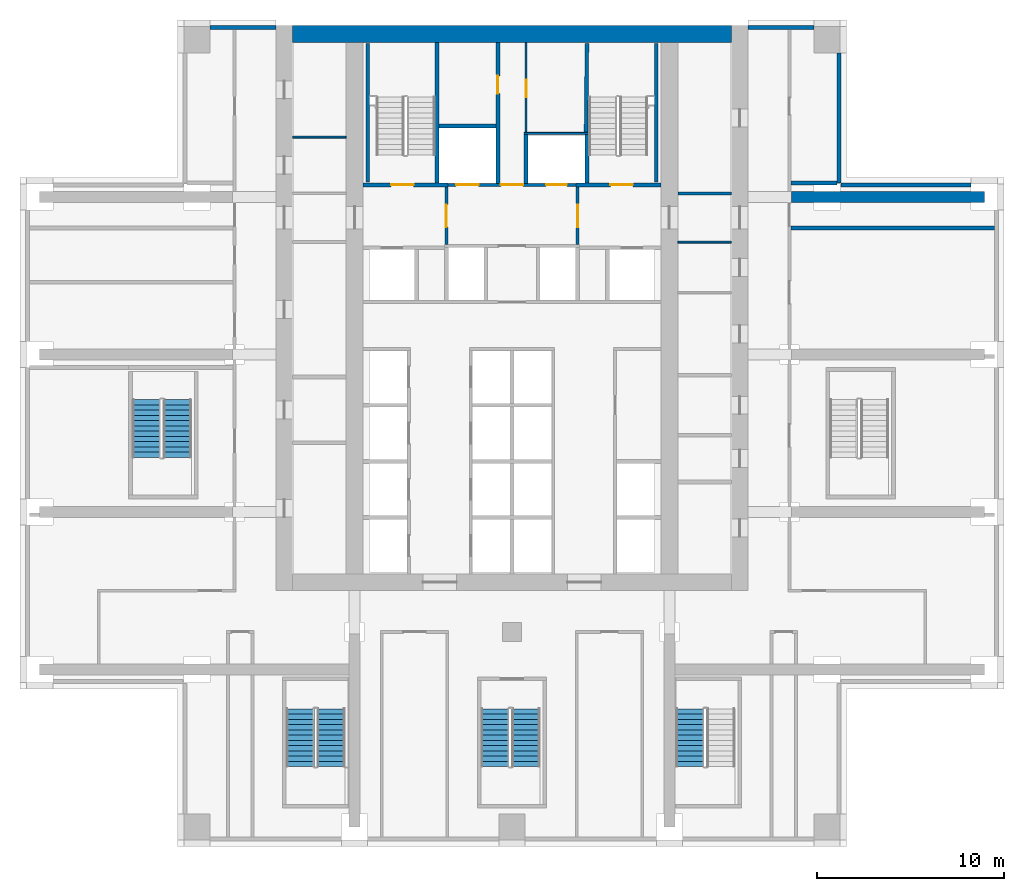
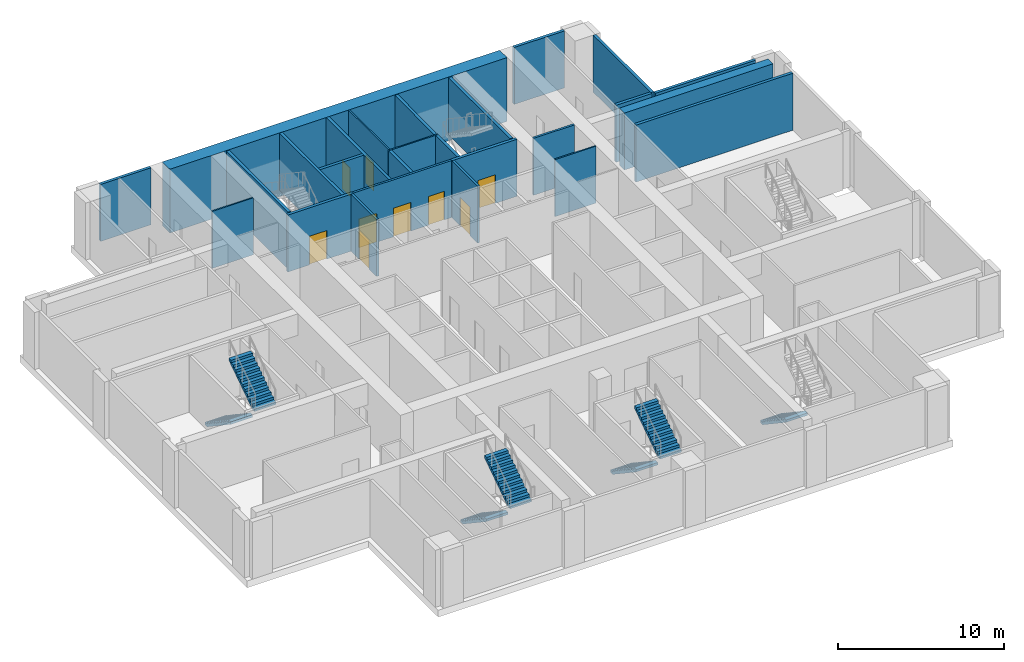
# One storey, part 5 of 11: 26 walls, 9 doors, 7 stair flights, 9 openings, 4 elements without a shape of their own.
"""IFC4 building model written with IfcOpenShell, lengths in metres."""

from ifc_helpers import new_model, si_unit, direction, frame, frame_2d, origin, place, context, subcontext, project, spatial, polyline, rectangle, outline, extrude, material, layer, layer_set, type_object, element, fill, aggregate, save


model = new_model("IFC4")

# Units and contexts
model_context = context("Model", 3, precision=1e-05, world=origin(), true_north=direction((0.0, 1.0)))
body_context = subcontext(model_context, "Body", "Model", "MODEL_VIEW")
ifc_project = project(units=[si_unit("LENGTHUNIT", "METRE"), si_unit("AREAUNIT", "SQUARE_METRE"), si_unit("VOLUMEUNIT", "CUBIC_METRE"), si_unit("PLANEANGLEUNIT", "RADIAN"), si_unit("MASSUNIT", "GRAM", prefix="KILO")], contexts=[model_context])

# Site, building, storey
site_placement = place(None, origin())
site = spatial("IfcSite", under=ifc_project, at=site_placement, CompositionType="ELEMENT")
building_placement = place(site_placement, origin())
building = spatial("IfcBuilding", under=site, at=building_placement, Name="Vermilion Ogive Tower", CompositionType="ELEMENT")
storey_placement = place(building_placement, frame((0.0, 0.0, 75.89990234375)))
storey = spatial("IfcBuildingStorey", under=building, at=storey_placement, Name="L18", CompositionType="ELEMENT", Elevation=75.89990234375)

# Walls
ifc_material_1 = material(Name="Concrete B60", Category="concrete")
ifc_layer_1 = layer(ifc_material_1, 0.60009765625)
ifc_layer_set_1 = layer_set([ifc_layer_1], Name="Outrigger wall 600 B60")
wall_type_1 = type_object("IfcWallType", Name="Outrigger wall 600 B60", PredefinedType="SHEAR", material=ifc_layer_set_1)
wall_1_placement = place(storey_placement, frame((14.89990234375, 12.60009765625, 0.0), z_axis=(0.0, 0.0, 1.0), x_axis=(1.0, 0.0, 0.0)))
element("IfcWall", 1, at=wall_1_placement, inside=storey, type_object=wall_type_1, Name="L18-OW-EWE+12.6", PredefinedType="SHEAR", context=body_context, shape_type="SweptSolid", body=[
    extrude(rectangle(XDim=10.300048828125, YDim=0.60009765625, at=frame_2d((5.14990234375, 0.0))), origin(), (0.0, 0.0, 1.0), 4.18017578125),
])
ifc_material_2 = material(Name="Gypsum board partition on steel studs", Category="steel")
ifc_layer_2 = layer(ifc_material_2, 0.10009765625)
ifc_layer_set_2 = layer_set([ifc_layer_2], Name="Partition 100 bath")
wall_type_2 = type_object("IfcWallType", Name="Partition 100 bath", PredefinedType="PARTITIONING", material=ifc_layer_set_2)
wall_2_placement = place(storey_placement, frame((0.64990234375, 16.0, 0.0), z_axis=(0.0, 0.0, 1.0), x_axis=(1.0, 0.0, 0.0)))
element("IfcWall", 2, at=wall_2_placement, inside=storey, type_object=wall_type_2, Name="L18-CK-W-W019", PredefinedType="PARTITIONING", context=body_context, shape_type="SweptSolid", body=[
    extrude(rectangle(XDim=3.4501953125, YDim=0.10009765625, at=frame_2d((1.72509765625, 0.0))), origin(), (0.0, 0.0, 1.0), 4.18017578125),
])

# Wall, opening, door
wall_3_placement = place(storey_placement, frame((0.75, 16.050048828125, 0.0), z_axis=(0.0, 0.0, 1.0), x_axis=(0.0, 1.0, 0.0)))
wall_3 = element("IfcWall", 3, at=wall_3_placement, inside=storey, type_object=wall_type_2, Name="L18-CK-W-W031", PredefinedType="PARTITIONING", context=body_context, shape_type="SweptSolid", body=[
    extrude(rectangle(XDim=4.799072265625, YDim=0.10009765625, at=frame_2d((2.3994140625, 0.0))), origin(), (0.0, 0.0, 1.0), 4.18017578125),
])
opening_1_placement = place(wall_3_placement, frame((1.875, 0.0, 0.0)))
opening_1 = element("IfcOpeningElement", 4, at=opening_1_placement, cuts=wall_3, Name="Opening DAF008", PredefinedType="OPENING", context=body_context, shape_type="SweptSolid", body=[
    extrude(rectangle(XDim=0.949951171875, YDim=2.10009765625, at=frame_2d((0.47509765625, 1.050048828125))), frame((0.0, 0.06005859375, 0.0), z_axis=(0.0, -1.0, 0.0), x_axis=(1.0, 0.0, 0.0)), (0.0, 0.0, 1.0), 0.1201171875),
])
ifc_material_3 = material(Name="Timber door leaf", Category="wood")
door_type_1 = type_object("IfcDoorType", Name="Service door 950 x 2100 FD60", OperationType="SINGLE_SWING_LEFT", PredefinedType="DOOR", material=ifc_material_3)
door_1_placement = place(opening_1_placement, origin())
door_1 = element("IfcDoor", 5, at=door_1_placement, inside=storey, type_object=door_type_1, Name="L18-CK-D-D020", OperationType="SINGLE_SWING_LEFT", OverallHeight=2.10009765625, OverallWidth=0.949951171875, PredefinedType="DOOR", context=body_context, shape_type="SweptSolid", body=[
    extrude(rectangle(XDim=0.949951171875, YDim=2.10009765625, at=frame_2d((0.47509765625, 1.050048828125))), frame((0.0, 0.02490234375, 0.0), z_axis=(0.0, -1.0, 0.0), x_axis=(1.0, 0.0, 0.0)), (0.0, 0.0, 1.0), 0.050048828125),
])
fill(opening_1, door_1)

# Walls
for number, where, z_axis, x_axis, name in (
    (6, (-11.698974609375, 15.800048828125, 0.0), (0.0, 0.0, 1.0), (1.0, 0.0, 0.0), "L18-CKW-W-W005"),
    (7, (8.85107421875, 10.199951171875, 0.0), (0.0, 0.0, 1.0), (1.0, 0.0, 0.0), "L18-CKE-W-W005"),
):
    element("IfcWall", number, at=place(storey_placement, frame(where, z_axis=z_axis, x_axis=x_axis)), inside=storey, type_object=wall_type_2, Name=name, PredefinedType="PARTITIONING", context=body_context, shape_type="SweptSolid", body=[
        extrude(rectangle(XDim=2.847900390625, YDim=0.10009765625, at=frame_2d((1.423828125, 0.0))), origin(), (0.0, 0.0, 1.0), 4.18017578125),
    ])

# Wall, openings, doors
ifc_material_4 = material(Name="Gypsum board partition on steel studs", Category="steel")
ifc_layer_3 = layer(ifc_material_4, 0.14990234375)
ifc_layer_set_3 = layer_set([ifc_layer_3], Name="Partition 150 corridor")
wall_type_3 = type_object("IfcWallType", Name="Partition 150 corridor", PredefinedType="PARTITIONING", material=ifc_layer_set_3)
wall_4_placement = place(storey_placement, frame((-3.574951171875, 13.25, 0.0), z_axis=(0.0, 0.0, 1.0), x_axis=(1.0, 0.0, 0.0)))
wall_4 = element("IfcWall", 8, at=wall_4_placement, inside=storey, type_object=wall_type_3, Name="L18-CK-W-W017", PredefinedType="PARTITIONING", context=body_context, shape_type="SweptSolid", body=[
    extrude(rectangle(XDim=7.14990234375, YDim=0.14990234375, at=frame_2d((3.574951171875, 0.0))), origin(), (0.0, 0.0, 1.0), 4.18017578125),
])
opening_2_placement = place(wall_4_placement, frame((0.599853515625, 0.0, 0.0)))
opening_2 = element("IfcOpeningElement", 9, at=opening_2_placement, cuts=wall_4, Name="Opening DAF022", PredefinedType="OPENING", context=body_context, shape_type="SweptSolid", body=[
    extrude(rectangle(XDim=1.199951171875, YDim=2.10009765625, at=frame_2d((0.60009765625, 1.050048828125))), frame((0.0, 0.0849609375, 0.0), z_axis=(0.0, -1.0, 0.0), x_axis=(1.0, 0.0, 0.0)), (0.0, 0.0, 1.0), 0.169921875),
])
opening_3_placement = place(wall_4_placement, frame((5.39990234375, 0.0, 0.0)))
opening_3 = element("IfcOpeningElement", 10, at=opening_3_placement, cuts=wall_4, Name="Opening DAF013", PredefinedType="OPENING", context=body_context, shape_type="SweptSolid", body=[
    extrude(rectangle(XDim=1.10009765625, YDim=2.10009765625, at=frame_2d((0.550048828125, 1.050048828125))), frame((0.0, 0.0849609375, 0.0), z_axis=(0.0, -1.0, 0.0), x_axis=(1.0, 0.0, 0.0)), (0.0, 0.0, 1.0), 0.169921875),
])
opening_4_placement = place(wall_4_placement, frame((2.974853515625, 0.0, 0.0)))
opening_4 = element("IfcOpeningElement", 11, at=opening_4_placement, cuts=wall_4, Name="Opening DAF005", PredefinedType="OPENING", context=body_context, shape_type="SweptSolid", body=[
    extrude(rectangle(XDim=1.199951171875, YDim=2.10009765625, at=frame_2d((0.60009765625, 1.050048828125))), frame((0.0, 0.0849609375, 0.0), z_axis=(0.0, -1.0, 0.0), x_axis=(1.0, 0.0, 0.0)), (0.0, 0.0, 1.0), 0.169921875),
])
ifc_material_5 = material(Name="Stainless steel", Category="steel")
door_type_2 = type_object("IfcDoorType", Name="Lift landing door 1100 x 2100", OperationType="SLIDING_TO_LEFT", PredefinedType="DOOR", material=ifc_material_5)
door_2_placement = place(opening_3_placement, origin())
door_2 = element("IfcDoor", 12, at=door_2_placement, inside=storey, type_object=door_type_2, Name="L18-CK-D-D017", OperationType="SLIDING_TO_LEFT", OverallHeight=2.10009765625, OverallWidth=1.10009765625, PredefinedType="DOOR", context=body_context, shape_type="SweptSolid", body=[
    extrude(rectangle(XDim=1.10009765625, YDim=2.10009765625, at=frame_2d((0.550048828125, 1.050048828125))), frame((0.0, 0.02490234375, 0.0), z_axis=(0.0, -1.0, 0.0), x_axis=(1.0, 0.0, 0.0)), (0.0, 0.0, 1.0), 0.050048828125),
])
fill(opening_3, door_2)
ifc_material_6 = material(Name="Stainless steel", Category="steel")
door_type_3 = type_object("IfcDoorType", Name="Lift landing door 1200 x 2100", OperationType="SLIDING_TO_LEFT", PredefinedType="DOOR", material=ifc_material_6)
door_3_placement = place(opening_2_placement, origin())
door_3 = element("IfcDoor", 13, at=door_3_placement, inside=storey, type_object=door_type_3, Name="L18-CK-D-D016", OperationType="SLIDING_TO_RIGHT", OverallHeight=2.10009765625, OverallWidth=1.199951171875, PredefinedType="DOOR", context=body_context, shape_type="SweptSolid", body=[
    extrude(rectangle(XDim=1.199951171875, YDim=2.10009765625, at=frame_2d((0.60009765625, 1.050048828125))), frame((0.0, 0.02490234375, 0.0), z_axis=(0.0, -1.0, 0.0), x_axis=(1.0, 0.0, 0.0)), (0.0, 0.0, 1.0), 0.050048828125),
])
fill(opening_2, door_3)
ifc_material_7 = material(Name="Timber door leaf", Category="wood")
door_type_4 = type_object("IfcDoorType", Name="Service door 1200 x 2100 FD60", OperationType="SINGLE_SWING_LEFT", PredefinedType="DOOR", material=ifc_material_7)
door_4_placement = place(opening_4_placement, origin())
door_4 = element("IfcDoor", 14, at=door_4_placement, inside=storey, type_object=door_type_4, Name="L18-CK-D-D018", OperationType="SINGLE_SWING_RIGHT", OverallHeight=2.10009765625, OverallWidth=1.199951171875, PredefinedType="DOOR", context=body_context, shape_type="SweptSolid", body=[
    extrude(rectangle(XDim=1.199951171875, YDim=2.10009765625, at=frame_2d((0.60009765625, 1.050048828125))), frame((0.0, 0.02490234375, 0.0), z_axis=(0.0, -1.0, 0.0), x_axis=(1.0, 0.0, 0.0)), (0.0, 0.0, 1.0), 0.050048828125),
])
fill(opening_4, door_4)

# Wall, opening, door
wall_5_placement = place(storey_placement, frame((-3.5, 10.074951171875, 0.0), z_axis=(0.0, 0.0, 1.0), x_axis=(0.0, 1.0, 0.0)))
wall_5 = element("IfcWall", 15, at=wall_5_placement, inside=storey, type_object=wall_type_3, Name="L18-CK-W-W025", PredefinedType="PARTITIONING", context=body_context, shape_type="SweptSolid", body=[
    extrude(rectangle(XDim=3.074951171875, YDim=0.14990234375, at=frame_2d((1.53759765625, 0.0))), origin(), (0.0, 0.0, 1.0), 4.18017578125),
])
opening_5_placement = place(wall_5_placement, frame((0.925048828125, 0.0, 0.0)))
opening_5 = element("IfcOpeningElement", 16, at=opening_5_placement, cuts=wall_5, Name="Opening DAF001", PredefinedType="OPENING", context=body_context, shape_type="SweptSolid", body=[
    extrude(rectangle(XDim=1.199951171875, YDim=2.10009765625, at=frame_2d((0.60009765625, 1.050048828125))), frame((0.0, 0.0849609375, 0.0), z_axis=(0.0, -1.0, 0.0), x_axis=(1.0, 0.0, 0.0)), (0.0, 0.0, 1.0), 0.169921875),
])
ifc_material_8 = material(Name="Timber door leaf", Category="wood")
door_type_5 = type_object("IfcDoorType", Name="Lobby door 1200 x 2100 FD60S", OperationType="SINGLE_SWING_LEFT", PredefinedType="DOOR", material=ifc_material_8)
door_5_placement = place(opening_5_placement, origin())
door_5 = element("IfcDoor", 17, at=door_5_placement, inside=storey, type_object=door_type_5, Name="L18-CK-D-D021", OperationType="SINGLE_SWING_RIGHT", OverallHeight=2.10009765625, OverallWidth=1.199951171875, PredefinedType="DOOR", context=body_context, shape_type="SweptSolid", body=[
    extrude(rectangle(XDim=1.199951171875, YDim=2.10009765625, at=frame_2d((0.60009765625, 1.050048828125))), frame((0.0, 0.02490234375, 0.0), z_axis=(0.0, -1.0, 0.0), x_axis=(1.0, 0.0, 0.0)), (0.0, 0.0, 1.0), 0.050048828125),
])
fill(opening_5, door_5)

wall_6_placement = place(storey_placement, frame((3.5, 10.074951171875, 0.0), z_axis=(0.0, 0.0, 1.0), x_axis=(0.0, 1.0, 0.0)))
wall_6 = element("IfcWall", 18, at=wall_6_placement, inside=storey, type_object=wall_type_3, Name="L18-CK-W-W035", PredefinedType="PARTITIONING", context=body_context, shape_type="SweptSolid", body=[
    extrude(rectangle(XDim=3.074951171875, YDim=0.14990234375, at=frame_2d((1.53759765625, 0.0))), origin(), (0.0, 0.0, 1.0), 4.18017578125),
])
opening_6_placement = place(wall_6_placement, frame((0.925048828125, 0.0, 0.0)))
opening_6 = element("IfcOpeningElement", 19, at=opening_6_placement, cuts=wall_6, Name="Opening DAF002", PredefinedType="OPENING", context=body_context, shape_type="SweptSolid", body=[
    extrude(rectangle(XDim=1.199951171875, YDim=2.10009765625, at=frame_2d((0.60009765625, 1.050048828125))), frame((0.0, 0.0849609375, 0.0), z_axis=(0.0, -1.0, 0.0), x_axis=(1.0, 0.0, 0.0)), (0.0, 0.0, 1.0), 0.169921875),
])
door_6_placement = place(opening_6_placement, origin())
door_6 = element("IfcDoor", 20, at=door_6_placement, inside=storey, type_object=door_type_5, Name="L18-CK-D-D022", OperationType="SINGLE_SWING_LEFT", OverallHeight=2.10009765625, OverallWidth=1.199951171875, PredefinedType="DOOR", context=body_context, shape_type="SweptSolid", body=[
    extrude(rectangle(XDim=1.199951171875, YDim=2.10009765625, at=frame_2d((0.60009765625, 1.050048828125))), frame((0.0, 0.02490234375, 0.0), z_axis=(0.0, -1.0, 0.0), x_axis=(1.0, 0.0, 0.0)), (0.0, 0.0, 1.0), 0.050048828125),
])
fill(opening_6, door_6)

# Walls
wall_7_placement = place(storey_placement, frame((8.85107421875, 12.800048828125, 0.0), z_axis=(0.0, 0.0, 1.0), x_axis=(1.0, 0.0, 0.0)))
element("IfcWall", 21, at=wall_7_placement, inside=storey, type_object=wall_type_3, Name="L18-CKE-W-W006", PredefinedType="PARTITIONING", context=body_context, shape_type="SweptSolid", body=[
    extrude(rectangle(XDim=2.847900390625, YDim=0.14990234375, at=frame_2d((1.423828125, 0.0))), origin(), (0.0, 0.0, 1.0), 4.18017578125),
])
ifc_material_9 = material(Name="Gypsum board partition on steel studs", Category="steel")
ifc_layer_4 = layer(ifc_material_9, 0.199951171875)
ifc_layer_set_4 = layer_set([ifc_layer_4], Name="Partition 200 party")
wall_type_4 = type_object("IfcWallType", Name="Partition 200 party", PredefinedType="PARTITIONING", material=ifc_layer_set_4)
wall_8_placement = place(storey_placement, frame((14.875, 10.949951171875, 0.0), z_axis=(0.0, 0.0, 1.0), x_axis=(1.0, 0.0, 0.0)))
element("IfcWall", 22, at=wall_8_placement, inside=storey, type_object=wall_type_4, Name="L18-FS-W-W013", PredefinedType="PARTITIONING", context=body_context, shape_type="SweptSolid", body=[
    extrude(rectangle(XDim=10.875, YDim=0.199951171875, at=frame_2d((5.4375, 0.0))), origin(), (0.0, 0.0, 1.0), 4.18017578125),
])
wall_9_placement = place(storey_placement, frame((14.875, 13.35009765625, 0.0), z_axis=(0.0, 0.0, 1.0), x_axis=(1.0, 0.0, 0.0)))
element("IfcWall", 23, at=wall_9_placement, inside=storey, type_object=wall_type_4, Name="L18-FS-W-W015", PredefinedType="PARTITIONING", context=body_context, shape_type="SweptSolid", body=[
    extrude(rectangle(XDim=2.47509765625, YDim=0.199951171875, at=frame_2d((1.237548828125, 0.0))), origin(), (0.0, 0.0, 1.0), 4.18017578125),
])
wall_10_placement = place(storey_placement, frame((-3.89990234375, 16.39990234375, 0.0), z_axis=(0.0, 0.0, 1.0), x_axis=(1.0, 0.0, 0.0)))
element("IfcWall", 24, at=wall_10_placement, inside=storey, type_object=wall_type_4, Name="L18-CK-W-W020", PredefinedType="PARTITIONING", context=body_context, shape_type="SweptSolid", body=[
    extrude(rectangle(XDim=3.0498046875, YDim=0.199951171875, at=frame_2d((1.52490234375, 0.0))), origin(), (0.0, 0.0, 1.0), 4.18017578125),
])

# Wall, opening, door
wall_11_placement = place(storey_placement, frame((-0.75, 13.324951171875, 0.0), z_axis=(0.0, 0.0, 1.0), x_axis=(0.0, 1.0, 0.0)))
wall_11 = element("IfcWall", 25, at=wall_11_placement, inside=storey, type_object=wall_type_4, Name="L18-CK-W-W028", PredefinedType="PARTITIONING", context=body_context, shape_type="SweptSolid", body=[
    extrude(rectangle(XDim=7.524169921875, YDim=0.199951171875, at=frame_2d((3.76220703125, 0.0))), origin(), (0.0, 0.0, 1.0), 4.18017578125),
])
opening_7_placement = place(wall_11_placement, frame((4.800048828125, 0.0, 0.0)))
opening_7 = element("IfcOpeningElement", 26, at=opening_7_placement, cuts=wall_11, Name="Opening DAF007", PredefinedType="OPENING", context=body_context, shape_type="SweptSolid", body=[
    extrude(rectangle(XDim=0.949951171875, YDim=2.10009765625, at=frame_2d((0.47509765625, 1.050048828125))), frame((0.0, 0.10986328125, 0.0), z_axis=(0.0, -1.0, 0.0), x_axis=(1.0, 0.0, 0.0)), (0.0, 0.0, 1.0), 0.219970703125),
])
door_7_placement = place(opening_7_placement, origin())
door_7 = element("IfcDoor", 27, at=door_7_placement, inside=storey, type_object=door_type_1, Name="L18-CK-D-D019", OperationType="SINGLE_SWING_RIGHT", OverallHeight=2.10009765625, OverallWidth=0.949951171875, PredefinedType="DOOR", context=body_context, shape_type="SweptSolid", body=[
    extrude(rectangle(XDim=0.949951171875, YDim=2.10009765625, at=frame_2d((0.47509765625, 1.050048828125))), frame((0.0, 0.02490234375, 0.0), z_axis=(0.0, -1.0, 0.0), x_axis=(1.0, 0.0, 0.0)), (0.0, 0.0, 1.0), 0.050048828125),
])
fill(opening_7, door_7)

# Walls
wall_12_placement = place(storey_placement, frame((0.75, 13.324951171875, 0.0), z_axis=(0.0, 0.0, 1.0), x_axis=(0.0, 1.0, 0.0)))
element("IfcWall", 28, at=wall_12_placement, inside=storey, type_object=wall_type_4, Name="L18-CK-W-W030", PredefinedType="PARTITIONING", context=body_context, shape_type="SweptSolid", body=[
    extrude(rectangle(XDim=2.625, YDim=0.199951171875, at=frame_2d((1.3125, 0.0))), origin(), (0.0, 0.0, 1.0), 4.18017578125),
])
ifc_material_10 = material(Name="Aluminium louvre panels", Category="aluminium")
ifc_layer_5 = layer(ifc_material_10, 0.199951171875)
ifc_layer_set_5 = layer_set([ifc_layer_5], Name="Plant louvre wall")
wall_type_5 = type_object("IfcWallType", Name="Plant louvre wall", PredefinedType="STANDARD", material=ifc_layer_set_5)
for number, where, z_axis, x_axis, name in (
    (29, (24.5, 13.25, 0.0), (0.0, 0.0, 1.0), (-1.0, 0.0, 0.0), "Window wall X31"),
    (30, (17.449951171875, 13.35009765625, 0.0), (0.0, 0.0, 1.0), (0.0, 1.0, 0.0), "Window wall X41"),
):
    element("IfcWall", number, at=place(storey_placement, frame(where, z_axis=z_axis, x_axis=x_axis)), inside=storey, type_object=wall_type_5, Name=name, PredefinedType="STANDARD", context=body_context, shape_type="SweptSolid", body=[
        extrude(rectangle(XDim=6.949951171875, YDim=0.199951171875, at=frame_2d((3.47509765625, 0.0))), origin(), (0.0, 0.0, 1.0), 4.18017578125),
    ])
for number, where, z_axis, x_axis, name in (
    (31, (16.10009765625, 21.64990234375, 0.0), (0.0, 0.0, 1.0), (-1.0, 0.0, 0.0), "Window wall N11"),
    (32, (-12.60009765625, 21.64990234375, 0.0), (0.0, 0.0, 1.0), (-1.0, 0.0, 0.0), "Window wall N21"),
):
    element("IfcWall", number, at=place(storey_placement, frame(where, z_axis=z_axis, x_axis=x_axis)), inside=storey, type_object=wall_type_5, Name=name, PredefinedType="STANDARD", context=body_context, shape_type="SweptSolid", body=[
        extrude(rectangle(XDim=3.5, YDim=0.199951171875, at=frame_2d((1.75, 0.0))), origin(), (0.0, 0.0, 1.0), 4.18017578125),
    ])
ifc_material_11 = material(Name="Concrete B60", Category="concrete")
ifc_layer_6 = layer(ifc_material_11, 0.199951171875)
ifc_layer_set_6 = layer_set([ifc_layer_6], Name="Stair shaft wall 200 Concrete B60")
wall_type_6 = type_object("IfcWallType", Name="Stair shaft wall 200 Concrete B60", PredefinedType="SOLIDWALL", material=ifc_layer_set_6)
wall_13_placement = place(storey_placement, frame((-11.699951171875, 21.300048828125, -0.5), z_axis=(0.0, 0.0, 1.0), x_axis=(1.0, 0.0, 0.0)))
element("IfcWall", 33, at=wall_13_placement, inside=storey, type_object=wall_type_6, Name="L18-CORE-N", PredefinedType="SOLIDWALL", context=body_context, shape_type="SweptSolid", body=[
    extrude(rectangle(XDim=23.39990234375, YDim=0.89990234375, at=frame_2d((11.699951171875, 0.0))), origin(), (0.0, 0.0, 1.0), 4.68017578125),
])

# Wall, opening, door
wall_14_placement = place(storey_placement, frame((-7.948974609375, 13.25, 0.0), z_axis=(0.0, 0.0, 1.0), x_axis=(1.0, 0.0, 0.0)))
wall_14 = element("IfcWall", 34, at=wall_14_placement, inside=storey, type_object=wall_type_6, Name="L18-CK-W-W016", PredefinedType="SOLIDWALL", context=body_context, shape_type="SweptSolid", body=[
    extrude(rectangle(XDim=4.52392578125, YDim=0.199951171875, at=frame_2d((2.261962890625, 0.0))), origin(), (0.0, 0.0, 1.0), 4.18017578125),
])
opening_8_placement = place(wall_14_placement, frame((1.4990234375, 0.0, 0.0)))
opening_8 = element("IfcOpeningElement", 35, at=opening_8_placement, cuts=wall_14, Name="Opening DAF009", PredefinedType="OPENING", context=body_context, shape_type="SweptSolid", body=[
    extrude(rectangle(XDim=1.199951171875, YDim=2.10009765625, at=frame_2d((0.60009765625, 1.050048828125))), frame((0.0, 0.10986328125, 0.0), z_axis=(0.0, -1.0, 0.0), x_axis=(1.0, 0.0, 0.0)), (0.0, 0.0, 1.0), 0.219970703125),
])
ifc_material_12 = material(Name="Timber door leaf", Category="wood")
door_type_6 = type_object("IfcDoorType", Name="Stair door 1200 x 2100 FD60S", OperationType="SINGLE_SWING_LEFT", PredefinedType="DOOR", material=ifc_material_12)
door_8_placement = place(opening_8_placement, origin())
door_8 = element("IfcDoor", 36, at=door_8_placement, inside=storey, type_object=door_type_6, Name="L18-CK-D-D010", OperationType="SINGLE_SWING_LEFT", OverallHeight=2.10009765625, OverallWidth=1.199951171875, PredefinedType="DOOR", context=body_context, shape_type="SweptSolid", body=[
    extrude(rectangle(XDim=1.199951171875, YDim=2.10009765625, at=frame_2d((0.60009765625, 1.050048828125))), frame((0.0, 0.02490234375, 0.0), z_axis=(0.0, -1.0, 0.0), x_axis=(1.0, 0.0, 0.0)), (0.0, 0.0, 1.0), 0.050048828125),
])
fill(opening_8, door_8)

wall_15_placement = place(storey_placement, frame((3.425048828125, 13.25, 0.0), z_axis=(0.0, 0.0, 1.0), x_axis=(1.0, 0.0, 0.0)))
wall_15 = element("IfcWall", 37, at=wall_15_placement, inside=storey, type_object=wall_type_6, Name="L18-CK-W-W018", PredefinedType="SOLIDWALL", context=body_context, shape_type="SweptSolid", body=[
    extrude(rectangle(XDim=4.52392578125, YDim=0.199951171875, at=frame_2d((2.261962890625, 0.0))), origin(), (0.0, 0.0, 1.0), 4.18017578125),
])
opening_9_placement = place(wall_15_placement, frame((1.824951171875, 0.0, 0.0)))
opening_9 = element("IfcOpeningElement", 38, at=opening_9_placement, cuts=wall_15, Name="Opening DAF010", PredefinedType="OPENING", context=body_context, shape_type="SweptSolid", body=[
    extrude(rectangle(XDim=1.199951171875, YDim=2.10009765625, at=frame_2d((0.60009765625, 1.050048828125))), frame((0.0, 0.10986328125, 0.0), z_axis=(0.0, -1.0, 0.0), x_axis=(1.0, 0.0, 0.0)), (0.0, 0.0, 1.0), 0.219970703125),
])
door_9_placement = place(opening_9_placement, origin())
door_9 = element("IfcDoor", 39, at=door_9_placement, inside=storey, type_object=door_type_6, Name="L18-CK-D-D012", OperationType="SINGLE_SWING_RIGHT", OverallHeight=2.10009765625, OverallWidth=1.199951171875, PredefinedType="DOOR", context=body_context, shape_type="SweptSolid", body=[
    extrude(rectangle(XDim=1.199951171875, YDim=2.10009765625, at=frame_2d((0.60009765625, 1.050048828125))), frame((0.0, 0.02490234375, 0.0), z_axis=(0.0, -1.0, 0.0), x_axis=(1.0, 0.0, 0.0)), (0.0, 0.0, 1.0), 0.050048828125),
])
fill(opening_9, door_9)

# Walls
wall_16_placement = place(storey_placement, frame((-4.0, 13.35009765625, 0.0), z_axis=(0.0, 0.0, 1.0), x_axis=(0.0, 1.0, 0.0)))
element("IfcWall", 40, at=wall_16_placement, inside=storey, type_object=wall_type_6, Name="L18-CK-W-W023", PredefinedType="SOLIDWALL", context=body_context, shape_type="SweptSolid", body=[
    extrude(rectangle(XDim=7.4990234375, YDim=0.199951171875, at=frame_2d((3.74951171875, 0.0))), origin(), (0.0, 0.0, 1.0), 4.18017578125),
])
wall_17_placement = place(storey_placement, frame((4.0, 13.35009765625, 0.0), z_axis=(0.0, 0.0, 1.0), x_axis=(0.0, 1.0, 0.0)))
element("IfcWall", 41, at=wall_17_placement, inside=storey, type_object=wall_type_6, Name="L18-CK-W-W036", PredefinedType="SOLIDWALL", context=body_context, shape_type="SweptSolid", body=[
    extrude(rectangle(XDim=2.599853515625, YDim=0.199951171875, at=frame_2d((1.2998046875, 0.0))), origin(), (0.0, 0.0, 1.0), 4.18017578125),
])
wall_18_placement = place(storey_placement, frame((3.949951171875, 16.050048828125, 0.0), z_axis=(0.0, 0.0, 1.0), x_axis=(0.010538176883, 0.999944471872, 0.0)))
element("IfcWall", 42, at=wall_18_placement, inside=storey, type_object=wall_type_6, Name="L18-CK-W-W037", PredefinedType="SOLIDWALL", context=body_context, shape_type="SweptSolid", body=[
    extrude(rectangle(XDim=4.749267578125, YDim=0.199951171875, at=frame_2d((2.37451171875, 0.0))), origin(), (0.0, 0.0, 1.0), 4.18017578125),
])
for number, where, z_axis, x_axis, name in (
    (43, (-7.699951171875, 13.39990234375, 0.0), (0.0, 0.0, 1.0), (0.0, 1.0, 0.0), "L18-SW-R022-W1"),
    (44, (7.699951171875, 13.39990234375, 0.0), (0.0, 0.0, 1.0), (0.0, 1.0, 0.0), "L18-SW-R026-E1"),
):
    element("IfcWall", number, at=place(storey_placement, frame(where, z_axis=z_axis, x_axis=x_axis)), inside=storey, type_object=wall_type_6, Name=name, PredefinedType="SOLIDWALL", context=body_context, shape_type="SweptSolid", body=[
        extrude(rectangle(XDim=7.400146484375, YDim=0.199951171875, at=frame_2d((3.7001953125, 0.0))), origin(), (0.0, 0.0, 1.0), 4.18017578125),
    ])

# Stair, stair flights
ifc_material_13 = material(Name="Concrete B40", Category="concrete")
stair_type = type_object("IfcStairType", Name="Exit stair 1500", PredefinedType="HALF_TURN_STAIR", material=ifc_material_13)
stair_1_placement = place(storey_placement, origin())
stair_1 = element("IfcStair", 45, at=stair_1_placement, inside=storey, type_object=stair_type, Name="L18 Exit Stair ST3", PredefinedType="HALF_TURN_STAIR")
ifc_material_14 = material(Name="Concrete B40", Category="concrete")
stair_flight_type = type_object("IfcStairFlightType", Name="Stair flight 1500", PredefinedType="STRAIGHT", material=ifc_material_14)
stair_flight_1_placement = place(storey_placement, frame((-11.300048828125, -14.699951171875, 0.0), z_axis=(0.0, 0.0, 1.0), x_axis=(0.0, -1.0, 0.0)))
stair_flight_1 = element("IfcStairFlight", 46, at=stair_flight_1_placement, type_object=stair_flight_type, Name="ST3 flight 1", NumberOfRisers=12, NumberOfTreads=11, PredefinedType="STRAIGHT", RiserHeight=0.1875, TreadLength=0.28, context=body_context, shape_type="SweptSolid", body=[
    extrude(outline(polyline([(0.0, 0.0), (0.0, 0.1875), (0.280029296875, 0.1875), (0.280029296875, 0.375), (0.56005859375, 0.375), (0.56005859375, 0.5625), (0.840087890625, 0.5625), (0.840087890625, 0.75), (1.1201171875, 0.75), (1.1201171875, 0.9375), (1.39990234375, 0.9375), (1.39990234375, 1.125), (1.679931640625, 1.125), (1.679931640625, 1.3125), (1.9599609375, 1.3125), (1.9599609375, 1.5), (2.239990234375, 1.5), (2.239990234375, 1.6875), (2.52001953125, 1.6875), (2.52001953125, 1.875), (2.800048828125, 1.875), (2.800048828125, 2.0625), (3.080078125, 2.0625), (3.080078125, 2.25), (3.080078125, 1.882080078125), (0.26953125, 0.0), (0.0, 0.0)])), frame((0.0, 0.75, 0.0), z_axis=(0.0, -1.0, 0.0), x_axis=(1.0, 0.0, 0.0)), (0.0, 0.0, 1.0), 1.5),
])
stair_flight_2_placement = place(storey_placement, frame((-9.64990234375, -17.780029296875, 2.25), z_axis=(0.0, 0.0, 1.0), x_axis=(0.0, 1.0, 0.0)))
stair_flight_2 = element("IfcStairFlight", 47, at=stair_flight_2_placement, type_object=stair_flight_type, Name="ST3 flight 2", NumberOfRisers=12, NumberOfTreads=11, PredefinedType="STRAIGHT", RiserHeight=0.1875, TreadLength=0.28, context=body_context, shape_type="SweptSolid", body=[
    extrude(outline(polyline([(0.0, 0.0), (0.0, 0.1875), (0.280029296875, 0.1875), (0.280029296875, 0.375), (0.56005859375, 0.375), (0.56005859375, 0.5625), (0.840087890625, 0.5625), (0.840087890625, 0.75), (1.1201171875, 0.75), (1.1201171875, 0.9375), (1.39990234375, 0.9375), (1.39990234375, 1.125), (1.679931640625, 1.125), (1.679931640625, 1.3125), (1.9599609375, 1.3125), (1.9599609375, 1.5), (2.239990234375, 1.5), (2.239990234375, 1.6875), (2.52001953125, 1.6875), (2.52001953125, 1.875), (2.800048828125, 1.875), (2.800048828125, 2.0625), (3.080078125, 2.0625), (3.080078125, 2.25), (3.080078125, 1.882080078125), (0.26953125, 0.0), (0.0, 0.0)])), frame((0.0, 0.75, 0.0), z_axis=(0.0, -1.0, 0.0), x_axis=(1.0, 0.0, 0.0)), (0.0, 0.0, 1.0), 1.5),
])
aggregate(stair_1, [stair_flight_1, stair_flight_2])

stair_2_placement = place(storey_placement, origin())
stair_2 = element("IfcStair", 48, at=stair_2_placement, inside=storey, type_object=stair_type, Name="L18 Exit Stair ST4", PredefinedType="HALF_TURN_STAIR")
stair_flight_3_placement = place(storey_placement, frame((-0.89990234375, -14.699951171875, 0.0), z_axis=(0.0, 0.0, 1.0), x_axis=(0.0, -1.0, 0.0)))
stair_flight_3 = element("IfcStairFlight", 49, at=stair_flight_3_placement, type_object=stair_flight_type, Name="ST4 flight 1", NumberOfRisers=12, NumberOfTreads=11, PredefinedType="STRAIGHT", RiserHeight=0.1875, TreadLength=0.28, context=body_context, shape_type="SweptSolid", body=[
    extrude(outline(polyline([(0.0, 0.0), (0.0, 0.1875), (0.280029296875, 0.1875), (0.280029296875, 0.375), (0.56005859375, 0.375), (0.56005859375, 0.5625), (0.840087890625, 0.5625), (0.840087890625, 0.75), (1.1201171875, 0.75), (1.1201171875, 0.9375), (1.39990234375, 0.9375), (1.39990234375, 1.125), (1.679931640625, 1.125), (1.679931640625, 1.3125), (1.9599609375, 1.3125), (1.9599609375, 1.5), (2.239990234375, 1.5), (2.239990234375, 1.6875), (2.52001953125, 1.6875), (2.52001953125, 1.875), (2.800048828125, 1.875), (2.800048828125, 2.0625), (3.080078125, 2.0625), (3.080078125, 2.25), (3.080078125, 1.882080078125), (0.26953125, 0.0), (0.0, 0.0)])), frame((0.0, 0.75, 0.0), z_axis=(0.0, -1.0, 0.0), x_axis=(1.0, 0.0, 0.0)), (0.0, 0.0, 1.0), 1.5),
])
stair_flight_4_placement = place(storey_placement, frame((0.75, -17.780029296875, 2.25), z_axis=(0.0, 0.0, 1.0), x_axis=(0.0, 1.0, 0.0)))
stair_flight_4 = element("IfcStairFlight", 50, at=stair_flight_4_placement, type_object=stair_flight_type, Name="ST4 flight 2", NumberOfRisers=12, NumberOfTreads=11, PredefinedType="STRAIGHT", RiserHeight=0.1875, TreadLength=0.28, context=body_context, shape_type="SweptSolid", body=[
    extrude(outline(polyline([(0.0, 0.0), (0.0, 0.1875), (0.280029296875, 0.1875), (0.280029296875, 0.375), (0.56005859375, 0.375), (0.56005859375, 0.5625), (0.840087890625, 0.5625), (0.840087890625, 0.75), (1.1201171875, 0.75), (1.1201171875, 0.9375), (1.39990234375, 0.9375), (1.39990234375, 1.125), (1.679931640625, 1.125), (1.679931640625, 1.3125), (1.9599609375, 1.3125), (1.9599609375, 1.5), (2.239990234375, 1.5), (2.239990234375, 1.6875), (2.52001953125, 1.6875), (2.52001953125, 1.875), (2.800048828125, 1.875), (2.800048828125, 2.0625), (3.080078125, 2.0625), (3.080078125, 2.25), (3.080078125, 1.882080078125), (0.26953125, 0.0), (0.0, 0.0)])), frame((0.0, 0.75, 0.0), z_axis=(0.0, -1.0, 0.0), x_axis=(1.0, 0.0, 0.0)), (0.0, 0.0, 1.0), 1.5),
])
aggregate(stair_2, [stair_flight_3, stair_flight_4])

# Stair, stair flight
stair_3_placement = place(storey_placement, origin())
stair_3 = element("IfcStair", 51, at=stair_3_placement, inside=storey, type_object=stair_type, Name="L18 Exit Stair ST5", PredefinedType="HALF_TURN_STAIR")
stair_flight_5_placement = place(storey_placement, frame((9.5, -14.699951171875, 0.0), z_axis=(0.0, 0.0, 1.0), x_axis=(0.0, -1.0, 0.0)))
stair_flight_5 = element("IfcStairFlight", 52, at=stair_flight_5_placement, type_object=stair_flight_type, Name="ST5 flight 1", NumberOfRisers=12, NumberOfTreads=11, PredefinedType="STRAIGHT", RiserHeight=0.1875, TreadLength=0.28, context=body_context, shape_type="SweptSolid", body=[
    extrude(outline(polyline([(0.0, 0.0), (0.0, 0.1875), (0.280029296875, 0.1875), (0.280029296875, 0.375), (0.56005859375, 0.375), (0.56005859375, 0.5625), (0.840087890625, 0.5625), (0.840087890625, 0.75), (1.1201171875, 0.75), (1.1201171875, 0.9375), (1.39990234375, 0.9375), (1.39990234375, 1.125), (1.679931640625, 1.125), (1.679931640625, 1.3125), (1.9599609375, 1.3125), (1.9599609375, 1.5), (2.239990234375, 1.5), (2.239990234375, 1.6875), (2.52001953125, 1.6875), (2.52001953125, 1.875), (2.800048828125, 1.875), (2.800048828125, 2.0625), (3.080078125, 2.0625), (3.080078125, 2.25), (3.080078125, 1.882080078125), (0.26953125, 0.0), (0.0, 0.0)])), frame((0.0, 0.75, 0.0), z_axis=(0.0, -1.0, 0.0), x_axis=(1.0, 0.0, 0.0)), (0.0, 0.0, 1.0), 1.5),
])
aggregate(stair_3, [stair_flight_5])

# Stair, stair flights
stair_4_placement = place(storey_placement, origin())
stair_4 = element("IfcStair", 53, at=stair_4_placement, inside=storey, type_object=stair_type, Name="L18 Exit Stair ST9", PredefinedType="HALF_TURN_STAIR")
stair_flight_6_placement = place(storey_placement, frame((-19.5, 1.800048828125, 0.0), z_axis=(0.0, 0.0, 1.0), x_axis=(0.0, -1.0, 0.0)))
stair_flight_6 = element("IfcStairFlight", 54, at=stair_flight_6_placement, type_object=stair_flight_type, Name="ST9 flight 1", NumberOfRisers=12, NumberOfTreads=11, PredefinedType="STRAIGHT", RiserHeight=0.1875, TreadLength=0.28, context=body_context, shape_type="SweptSolid", body=[
    extrude(outline(polyline([(0.0, 0.0), (0.0, 0.1875), (0.280029296875, 0.1875), (0.280029296875, 0.375), (0.56005859375, 0.375), (0.56005859375, 0.5625), (0.840087890625, 0.5625), (0.840087890625, 0.75), (1.1201171875, 0.75), (1.1201171875, 0.9375), (1.39990234375, 0.9375), (1.39990234375, 1.125), (1.679931640625, 1.125), (1.679931640625, 1.3125), (1.9599609375, 1.3125), (1.9599609375, 1.5), (2.239990234375, 1.5), (2.239990234375, 1.6875), (2.52001953125, 1.6875), (2.52001953125, 1.875), (2.800048828125, 1.875), (2.800048828125, 2.0625), (3.080078125, 2.0625), (3.080078125, 2.25), (3.080078125, 1.882080078125), (0.26953125, 0.0), (0.0, 0.0)])), frame((0.0, 0.75, 0.0), z_axis=(0.0, -1.0, 0.0), x_axis=(1.0, 0.0, 0.0)), (0.0, 0.0, 1.0), 1.5),
])
stair_flight_7_placement = place(storey_placement, frame((-17.85009765625, -1.280029296875, 2.25), z_axis=(0.0, 0.0, 1.0), x_axis=(0.0, 1.0, 0.0)))
stair_flight_7 = element("IfcStairFlight", 55, at=stair_flight_7_placement, type_object=stair_flight_type, Name="ST9 flight 2", NumberOfRisers=12, NumberOfTreads=11, PredefinedType="STRAIGHT", RiserHeight=0.1875, TreadLength=0.28, context=body_context, shape_type="SweptSolid", body=[
    extrude(outline(polyline([(0.0, 0.0), (0.0, 0.1875), (0.280029296875, 0.1875), (0.280029296875, 0.375), (0.56005859375, 0.375), (0.56005859375, 0.5625), (0.840087890625, 0.5625), (0.840087890625, 0.75), (1.1201171875, 0.75), (1.1201171875, 0.9375), (1.39990234375, 0.9375), (1.39990234375, 1.125), (1.679931640625, 1.125), (1.679931640625, 1.3125), (1.9599609375, 1.3125), (1.9599609375, 1.5), (2.239990234375, 1.5), (2.239990234375, 1.6875), (2.52001953125, 1.6875), (2.52001953125, 1.875), (2.800048828125, 1.875), (2.800048828125, 2.0625), (3.080078125, 2.0625), (3.080078125, 2.25), (3.080078125, 1.882080078125), (0.26953125, 0.0), (0.0, 0.0)])), frame((0.0, 0.75, 0.0), z_axis=(0.0, -1.0, 0.0), x_axis=(1.0, 0.0, 0.0)), (0.0, 0.0, 1.0), 1.5),
])
aggregate(stair_4, [stair_flight_6, stair_flight_7])

save(model, "model.ifc")
